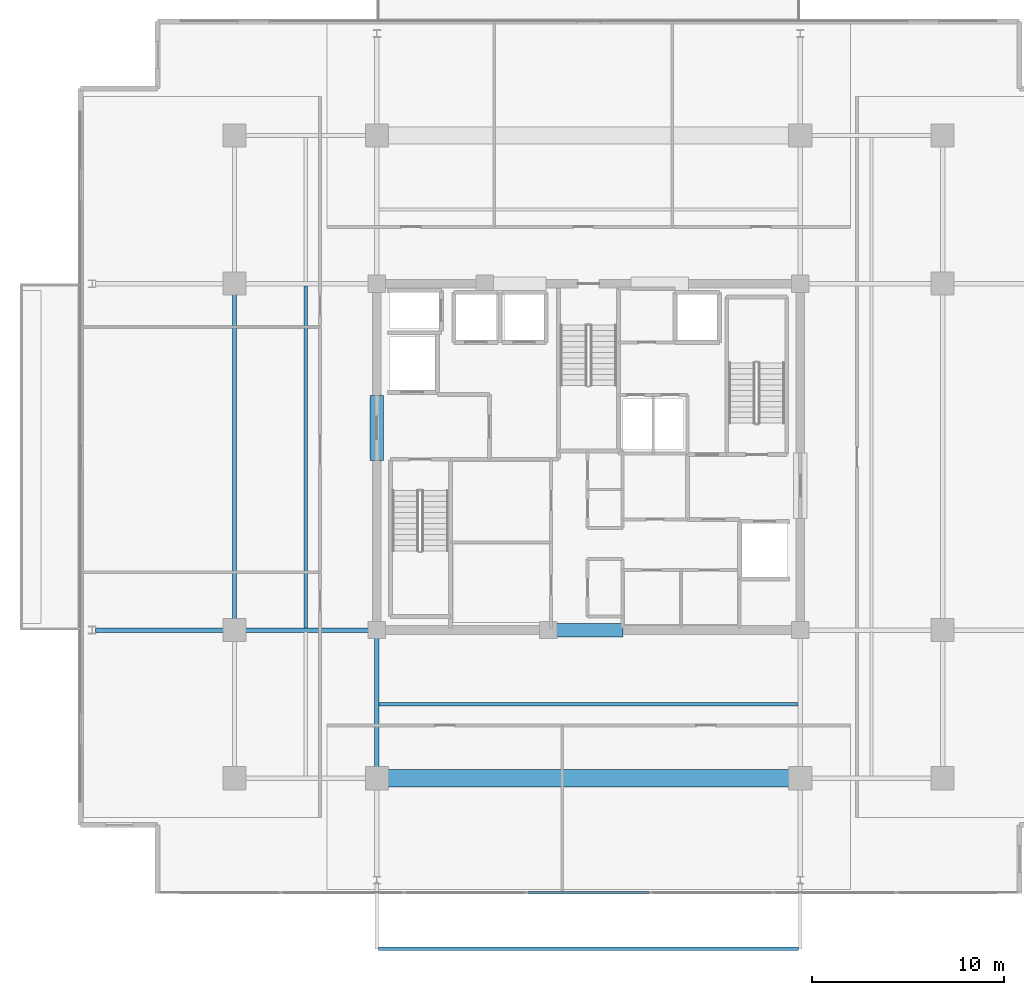
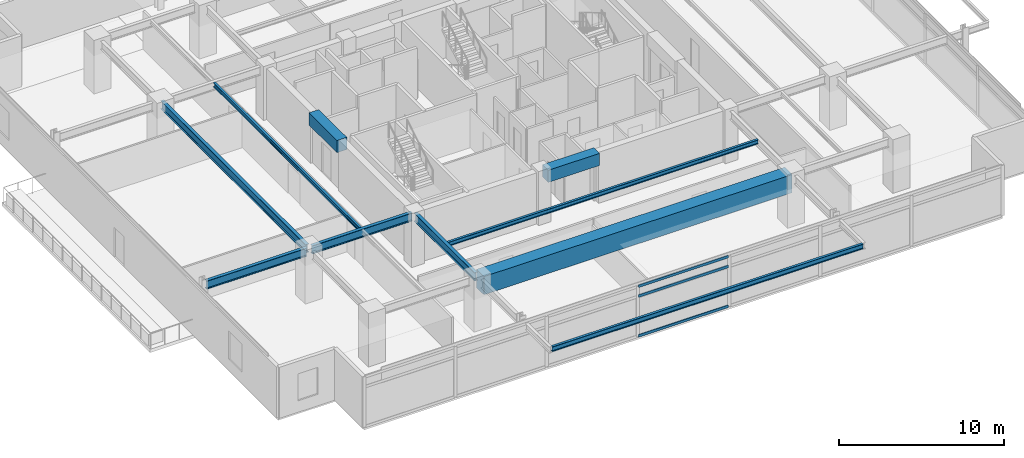
# One storey, part 4 of 19: 10 beams, 3 members, 1 element without a shape of its own.
"""IFC4 building model written with IfcOpenShell, lengths in metres."""

from ifc_helpers import new_model, si_unit, direction, frame, origin, origin_2d, place, context, subcontext, project, spatial, rectangle, hollow_rectangle, i_section, extrude, material, material_profile, profile_set, type_object, element, aggregate, save


model = new_model("IFC4")

# Units and contexts
model_context = context("Model", 3, precision=1e-05, world=origin(), true_north=direction((0.0, 1.0)))
body_context = subcontext(model_context, "Body", "Model", "MODEL_VIEW")
ifc_project = project(units=[si_unit("LENGTHUNIT", "METRE"), si_unit("AREAUNIT", "SQUARE_METRE"), si_unit("VOLUMEUNIT", "CUBIC_METRE"), si_unit("PLANEANGLEUNIT", "RADIAN"), si_unit("MASSUNIT", "GRAM", prefix="KILO")], contexts=[model_context])

# Site, building, storey
site_placement = place(None, origin())
site = spatial("IfcSite", under=ifc_project, at=site_placement, CompositionType="ELEMENT")
building_placement = place(site_placement, origin())
building = spatial("IfcBuilding", under=site, at=building_placement, Name="Kovane Verandah Tower", CompositionType="ELEMENT")
storey_placement = place(building_placement, frame((0.0, 0.0, 255.199951171875)))
storey = spatial("IfcBuildingStorey", under=building, at=storey_placement, Name="L59", CompositionType="ELEMENT", Elevation=255.199951171875)

# Beams
ifc_material_1 = material(Name="Concrete C60/75", Category="concrete")
ifc_material_profile_1 = material_profile(ifc_material_1, rectangle(XDim=0.699951171875, YDim=0.89990234375, at=origin_2d()), Name="RCB700x900")
ifc_profile_set_1 = profile_set([ifc_material_profile_1], Name="Concrete C60/75")
beam_type_1 = type_object("IfcBeamType", Name="BM-LINTEL-700x900", PredefinedType="LINTEL", material=ifc_profile_set_1)
beam_1_placement = place(storey_placement, frame((38.199951171875, 18.5, 3.3349609375), z_axis=(1.0, 0.0, 0.0), x_axis=(0.0, 1.0, 0.0)))
element("IfcBeam", 1, at=beam_1_placement, inside=storey, type_object=beam_type_1, Name="L59 Core Coupling Lintel CL-S", PredefinedType="LINTEL", context=body_context, shape_type="SweptSolid", body=[
    extrude(rectangle(XDim=0.699951171875, YDim=0.89990234375, at=origin_2d()), origin(), (0.0, 0.0, 1.0), 3.60009765625),
])
beam_2_placement = place(storey_placement, frame((29.0, 27.300048828125, 3.3349609375), z_axis=(0.0, 1.0, 0.0), x_axis=(-1.0, 0.0, 0.0)))
element("IfcBeam", 2, at=beam_2_placement, inside=storey, type_object=beam_type_1, Name="L59 Core Coupling Lintel CL-W", PredefinedType="LINTEL", context=body_context, shape_type="SweptSolid", body=[
    extrude(rectangle(XDim=0.699951171875, YDim=0.89990234375, at=origin_2d()), origin(), (0.0, 0.0, 1.0), 3.39990234375),
])
ifc_material_2 = material(Name="Concrete C80/95", Category="concrete")
ifc_material_profile_2 = material_profile(ifc_material_2, rectangle(XDim=0.89990234375, YDim=1.35009765625, at=origin_2d()), Name="RCB900x1350")
ifc_profile_set_2 = profile_set([ifc_material_profile_2], Name="Concrete C80/95")
beam_type_2 = type_object("IfcBeamType", Name="BM-TR-900x1350", PredefinedType="BEAM", material=ifc_profile_set_2)
beam_3_placement = place(storey_placement, frame((29.179931640625, 10.800048828125, 3.110107421875), z_axis=(1.0, 0.0, 0.0), x_axis=(0.0, 1.0, 0.0)))
element("IfcBeam", 3, at=beam_3_placement, inside=storey, type_object=beam_type_2, Name="L59 Primary Tower Girder G-RS2", PredefinedType="BEAM", context=body_context, shape_type="SweptSolid", body=[
    extrude(rectangle(XDim=0.89990234375, YDim=1.35009765625, at=origin_2d()), origin(), (0.0, 0.0, 1.0), 21.64013671875),
])
ifc_material_3 = material(Name="Steel S355", Category="steel")
ifc_material_profile_3 = material_profile(ifc_material_3, i_section(OverallWidth=0.230224609375, OverallDepth=0.6171875, WebThickness=0.01318359375, FlangeThickness=0.022216796875, FilletRadius=0.0126953125, at=origin_2d()), Name="UB610x229x140")
ifc_profile_set_3 = profile_set([ifc_material_profile_3], Name="Steel S355")
beam_type_3 = type_object("IfcBeamType", Name="BM-UB610x140", PredefinedType="BEAM", material=ifc_profile_set_3)
beam_4_placement = place(storey_placement, frame((21.60009765625, 18.679931640625, 3.4765625), z_axis=(0.0, 1.0, 0.0), x_axis=(-1.0, 0.0, 0.0)))
element("IfcBeam", 4, at=beam_4_placement, inside=storey, type_object=beam_type_3, Name="L59 Primary Tower Girder G-RW2", PredefinedType="BEAM", context=body_context, shape_type="SweptSolid", body=[
    extrude(i_section(OverallWidth=0.230224609375, OverallDepth=0.6171875, WebThickness=0.01318359375, FlangeThickness=0.022216796875, FilletRadius=0.0126953125, at=origin_2d()), origin(), (0.0, 0.0, 1.0), 17.64013671875),
])
beam_5_placement = place(storey_placement, frame((28.820068359375, 18.5, 3.4765625), z_axis=(-1.0, 0.0, 0.0), x_axis=(0.0, -1.0, 0.0)))
element("IfcBeam", 5, at=beam_5_placement, inside=storey, type_object=beam_type_3, Name="L59 Primary Tower Girder G-W1", PredefinedType="BEAM", context=body_context, shape_type="SweptSolid", body=[
    extrude(i_section(OverallWidth=0.230224609375, OverallDepth=0.6171875, WebThickness=0.01318359375, FlangeThickness=0.022216796875, FilletRadius=0.0126953125, at=origin_2d()), origin(), (0.0, 0.0, 1.0), 7.0400390625),
])
beam_6_placement = place(storey_placement, frame((29.0, 18.320068359375, 3.4765625), z_axis=(0.0, -1.0, 0.0), x_axis=(1.0, 0.0, 0.0)))
element("IfcBeam", 6, at=beam_6_placement, inside=storey, type_object=beam_type_3, Name="L59 Primary Tower Girder G-S1", PredefinedType="BEAM", context=body_context, shape_type="SweptSolid", body=[
    extrude(i_section(OverallWidth=0.230224609375, OverallDepth=0.6171875, WebThickness=0.01318359375, FlangeThickness=0.022216796875, FilletRadius=0.0126953125, at=origin_2d()), origin(), (0.0, 0.0, 1.0), 7.340087890625),
])
beam_7_placement = place(storey_placement, frame((21.419921875, 18.5, 3.451416015625), z_axis=(-1.0, 0.0, 0.0), x_axis=(0.0, -1.0, 0.0)))
element("IfcBeam", 7, at=beam_7_placement, inside=storey, type_object=beam_type_3, Name="L59 Primary Tower Girder G-VW1", PredefinedType="BEAM", context=body_context, shape_type="SweptSolid", body=[
    extrude(i_section(OverallWidth=0.230224609375, OverallDepth=0.6171875, WebThickness=0.01318359375, FlangeThickness=0.022216796875, FilletRadius=0.0126953125, at=origin_2d()), origin(), (0.0, 0.0, 1.0), 7.0400390625),
])

# Curtain wall, members
ifc_material_4 = material(Name="Champagne Anodised Aluminium Frame with Low-E Clear Laminated Glass", Category="aluminium")
curtain_wall_type = type_object("IfcCurtainWallType", Name="CW-SYS-05-HIGH", PredefinedType="NOTDEFINED", material=ifc_material_4)
curtain_wall_placement = place(storey_placement, origin())
curtain_wall = element("IfcCurtainWall", 8, at=curtain_wall_placement, inside=storey, type_object=curtain_wall_type, Name="L59 S Unitised Curtain Wall", PredefinedType="NOTDEFINED")
ifc_material_5 = material(Name="Champagne Anodised Aluminium 6063-T6", Category="aluminium")
ifc_material_profile_4 = material_profile(ifc_material_5, hollow_rectangle(XDim=0.0849609375, YDim=0.18994140625, WallThickness=0.00390625, at=origin_2d()), Name="AL85x190x4")
ifc_profile_set_4 = profile_set([ifc_material_profile_4], Name="Champagne Anodised Aluminium 6063-T6")
member_type = type_object("IfcMemberType", Name="CW-TRN-85x190", PredefinedType="USERDEFINED", material=ifc_profile_set_4)
member_1_placement = place(storey_placement, frame((36.8505859375, 4.8623046875, 0.050048828125), z_axis=(1.0, 0.0, 0.0), x_axis=(0.0, 1.0, 0.0)))
member_1 = element("IfcMember", 9, at=member_1_placement, type_object=member_type, Name="L59 S Unitised Curtain Wall Transom TB Bay 4", ObjectType="TRANSOM", PredefinedType="USERDEFINED", context=body_context, shape_type="SweptSolid", body=[
    extrude(hollow_rectangle(XDim=0.0849609375, YDim=0.18994140625, WallThickness=0.00390625, at=origin_2d()), origin(), (0.0, 0.0, 1.0), 6.298828125),
])
member_2_placement = place(storey_placement, frame((36.8505859375, 4.8623046875, 3.005126953125), z_axis=(1.0, 0.0, 0.0), x_axis=(0.0, 1.0, 0.0)))
member_2 = element("IfcMember", 10, at=member_2_placement, type_object=member_type, Name="L59 S Unitised Curtain Wall Transom TM Bay 4", ObjectType="TRANSOM", PredefinedType="USERDEFINED", context=body_context, shape_type="SweptSolid", body=[
    extrude(hollow_rectangle(XDim=0.0849609375, YDim=0.18994140625, WallThickness=0.00390625, at=origin_2d()), origin(), (0.0, 0.0, 1.0), 6.298828125),
])
member_3_placement = place(storey_placement, frame((36.8505859375, 4.8623046875, 3.735107421875), z_axis=(1.0, 0.0, 0.0), x_axis=(0.0, 1.0, 0.0)))
member_3 = element("IfcMember", 11, at=member_3_placement, type_object=member_type, Name="L59 S Unitised Curtain Wall Transom TT Bay 4", ObjectType="TRANSOM", PredefinedType="USERDEFINED", context=body_context, shape_type="SweptSolid", body=[
    extrude(hollow_rectangle(XDim=0.0849609375, YDim=0.18994140625, WallThickness=0.00390625, at=origin_2d()), origin(), (0.0, 0.0, 1.0), 6.298828125),
])
aggregate(curtain_wall, [member_1, member_2, member_3])

# Beams
ifc_material_profile_5 = material_profile(ifc_material_3, i_section(OverallWidth=0.1669921875, OverallDepth=0.310302734375, WebThickness=0.0078125, FlangeThickness=0.013671875, FilletRadius=0.0087890625, at=origin_2d()), Name="UB305x165x54")
ifc_profile_set_5 = profile_set([ifc_material_profile_5], Name="Steel S355")
beam_type_4 = type_object("IfcBeamType", Name="JST-UB305x54", PredefinedType="JOIST", material=ifc_profile_set_5)
beam_8_placement = place(storey_placement, frame((29.113037109375, 14.64990234375, 3.6298828125), z_axis=(1.0, 0.0, 0.0), x_axis=(0.0, 1.0, 0.0)))
element("IfcBeam", 12, at=beam_8_placement, inside=storey, type_object=beam_type_4, Name="L59 Secondary Composite Joist J-S1", PredefinedType="JOIST", context=body_context, shape_type="SweptSolid", body=[
    extrude(i_section(OverallWidth=0.1669921875, OverallDepth=0.310302734375, WebThickness=0.0078125, FlangeThickness=0.013671875, FilletRadius=0.0087890625, at=origin_2d()), origin(), (0.0, 0.0, 1.0), 21.77392578125),
])
beam_9_placement = place(storey_placement, frame((25.300048828125, 18.613037109375, 3.6298828125), z_axis=(0.0, 1.0, 0.0), x_axis=(-1.0, 0.0, 0.0)))
element("IfcBeam", 13, at=beam_9_placement, inside=storey, type_object=beam_type_4, Name="L59 Secondary Composite Joist J-W1", PredefinedType="JOIST", context=body_context, shape_type="SweptSolid", body=[
    extrude(i_section(OverallWidth=0.1669921875, OverallDepth=0.310302734375, WebThickness=0.0078125, FlangeThickness=0.013671875, FilletRadius=0.0087890625, at=origin_2d()), origin(), (0.0, 0.0, 1.0), 17.77392578125),
])
ifc_material_profile_6 = material_profile(ifc_material_3, i_section(OverallWidth=0.173095703125, OverallDepth=0.36328125, WebThickness=0.009033203125, FlangeThickness=0.015625, FilletRadius=0.01025390625, at=origin_2d()), Name="UB356x171x67")
ifc_profile_set_6 = profile_set([ifc_material_profile_6], Name="Steel S355")
beam_type_5 = type_object("IfcBeamType", Name="SPD-UB356x67", PredefinedType="USERDEFINED", material=ifc_profile_set_6)
beam_10_placement = place(storey_placement, frame((29.094482421875, 1.931884765625, 3.578369140625), z_axis=(1.0, 0.0, 0.0), x_axis=(0.0, 1.0, 0.0)))
element("IfcBeam", 14, at=beam_10_placement, inside=storey, type_object=beam_type_5, Name="L59 South Planter Edge Spandrel", ObjectType="SPANDREL", PredefinedType="USERDEFINED", context=body_context, shape_type="SweptSolid", body=[
    extrude(i_section(OverallWidth=0.173095703125, OverallDepth=0.36328125, WebThickness=0.009033203125, FlangeThickness=0.015625, FilletRadius=0.01025390625, at=origin_2d()), origin(), (0.0, 0.0, 1.0), 21.81103515625),
])

save(model, "model.ifc")
